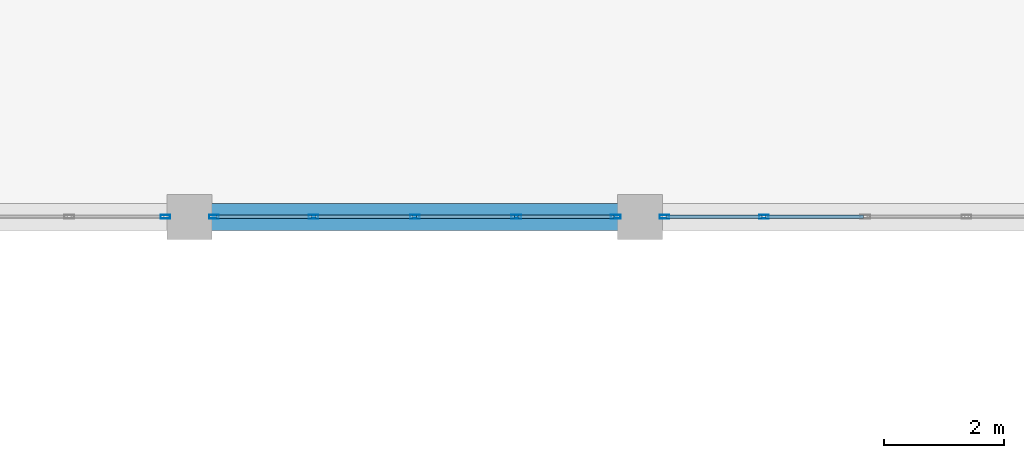
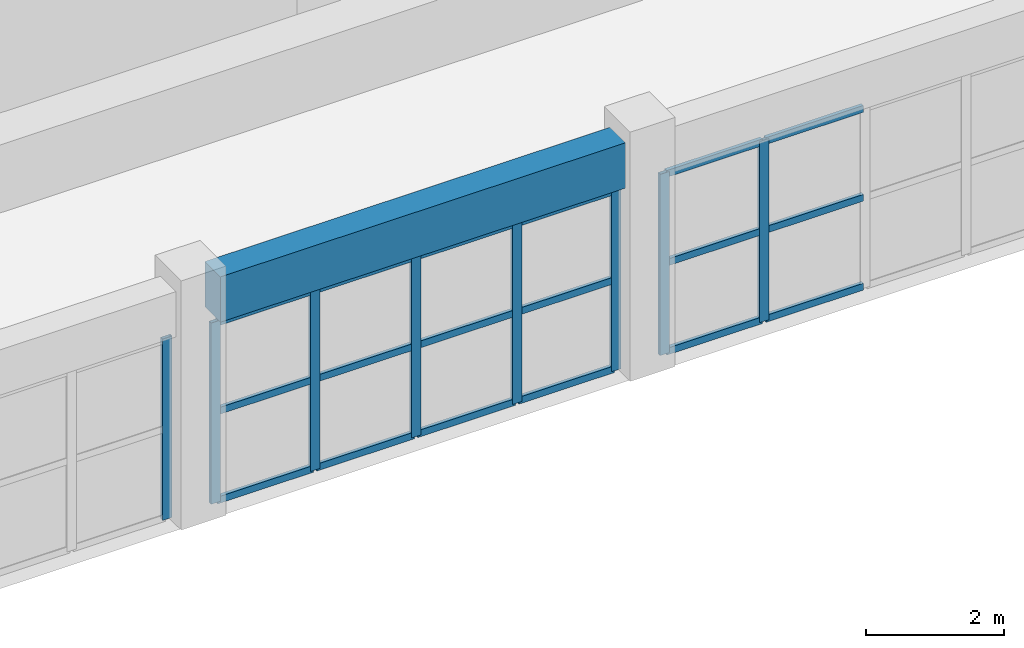
# One storey, part 37 of 116: 26 members, 1 beam, 3 elements without a shape of their own.
"""IFC4 building model written with IfcOpenShell, lengths in metres."""

from ifc_helpers import new_model, si_unit, direction, frame, origin, origin_2d, place, context, subcontext, project, spatial, rectangle, hollow_rectangle, extrude, material, layer, layer_set, material_profile, profile_set, type_object, element, aggregate, save


model = new_model("IFC4")

# Units and contexts
model_context = context("Model", 3, precision=1e-05, world=origin(), true_north=direction((0.0, 1.0)))
body_context = subcontext(model_context, "Body", "Model", "MODEL_VIEW")
ifc_project = project(units=[si_unit("LENGTHUNIT", "METRE"), si_unit("AREAUNIT", "SQUARE_METRE"), si_unit("VOLUMEUNIT", "CUBIC_METRE"), si_unit("PLANEANGLEUNIT", "RADIAN"), si_unit("MASSUNIT", "GRAM", prefix="KILO")], contexts=[model_context])

# Site, building, storey
site_placement = place(None, origin())
site = spatial("IfcSite", under=ifc_project, at=site_placement, CompositionType="ELEMENT")
building_placement = place(site_placement, origin())
building = spatial("IfcBuilding", under=site, at=building_placement, Name="Muzn Square Opera House", CompositionType="ELEMENT")
storey_placement = place(building_placement, frame((0.0, 0.0, 5.39990234375)))
storey = spatial("IfcBuildingStorey", under=building, at=storey_placement, Name="L01", CompositionType="ELEMENT", Elevation=5.39990234375)

# Curtain wall, member
ifc_material_1 = material(Name="Low-E laminated acoustic double glazing", Category="glass")
ifc_layer_1 = layer(ifc_material_1, 0.159912109375, Name="Low-E laminated acoustic double glazing", Category="glass")
ifc_layer_set_1 = layer_set([ifc_layer_1], Name="Low-E laminated acoustic double glazing")
curtain_wall_type_1 = type_object("IfcCurtainWallType", Name="Glazed Curtain Wall Forecourt 6525x3200", PredefinedType="USERDEFINED", material=ifc_layer_set_1)
curtain_wall_1_placement = place(storey_placement, origin())
curtain_wall_1 = element("IfcCurtainWall", 1, at=curtain_wall_1_placement, inside=storey, type_object=curtain_wall_type_1, Name="Glazed Curtain Wall CW-L01-005", ObjectType="GLAZED CURTAIN WALL", PredefinedType="USERDEFINED")
ifc_material_2 = material(Name="Anodised bronze aluminium 6063-T6", Category="metal")
ifc_material_profile_1 = material_profile(ifc_material_2, hollow_rectangle(XDim=0.06005859375, YDim=0.159912109375, WallThickness=0.00390625, at=origin_2d()), Name="ALU 160x60x4", Category="metal")
ifc_profile_set_1 = profile_set([ifc_material_profile_1], Name="Anodised bronze aluminium 6063-T6")
member_type_1 = type_object("IfcMemberType", Name="Curtain Wall Mullion 160x60", PredefinedType="MULLION", material=ifc_profile_set_1)
member_1_placement = place(storey_placement, frame((80.094970703125, 22.0, 0.0), z_axis=(0.0, 0.0, 1.0), x_axis=(0.0, 1.0, 0.0)))
member_1 = element("IfcMember", 2, at=member_1_placement, type_object=member_type_1, Name="CW-FC-65x32 mullion 5", PredefinedType="MULLION", context=body_context, shape_type="SweptSolid", body=[
    extrude(hollow_rectangle(XDim=0.06005859375, YDim=0.159912109375, WallThickness=0.00390625, at=origin_2d()), origin(), (0.0, 0.0, 1.0), 3.2001953125),
])
aggregate(curtain_wall_1, [member_1])

# Curtain wall, members
ifc_layer_2 = layer(ifc_material_1, 0.159912109375, Name="Low-E laminated acoustic double glazing", Category="glass")
ifc_layer_set_2 = layer_set([ifc_layer_2], Name="Low-E laminated acoustic double glazing")
curtain_wall_type_2 = type_object("IfcCurtainWallType", Name="Glazed Curtain Wall Forecourt 6750x3200", PredefinedType="USERDEFINED", material=ifc_layer_set_2)
curtain_wall_2_placement = place(storey_placement, origin())
curtain_wall_2 = element("IfcCurtainWall", 3, at=curtain_wall_2_placement, inside=storey, type_object=curtain_wall_type_2, Name="Glazed Curtain Wall CW-L01-006", ObjectType="GLAZED CURTAIN WALL", PredefinedType="USERDEFINED")
member_2_placement = place(storey_placement, frame((80.905029296875, 22.0, 0.0), z_axis=(0.0, 0.0, 1.0), x_axis=(0.0, 1.0, 0.0)))
member_2 = element("IfcMember", 4, at=member_2_placement, type_object=member_type_1, Name="CW-FC-67x32 mullion 1", PredefinedType="MULLION", context=body_context, shape_type="SweptSolid", body=[
    extrude(hollow_rectangle(XDim=0.06005859375, YDim=0.159912109375, WallThickness=0.00390625, at=origin_2d()), origin(), (0.0, 0.0, 1.0), 3.2001953125),
])
member_3_placement = place(storey_placement, frame((82.5625, 22.0, 0.0), z_axis=(0.0, 0.0, 1.0), x_axis=(0.0, 1.0, 0.0)))
member_3 = element("IfcMember", 5, at=member_3_placement, type_object=member_type_1, Name="CW-FC-67x32 mullion 2", PredefinedType="MULLION", context=body_context, shape_type="SweptSolid", body=[
    extrude(hollow_rectangle(XDim=0.06005859375, YDim=0.159912109375, WallThickness=0.00390625, at=origin_2d()), origin(), (0.0, 0.0, 1.0), 3.2001953125),
])
member_4_placement = place(storey_placement, frame((84.25, 22.0, 0.0), z_axis=(0.0, 0.0, 1.0), x_axis=(0.0, 1.0, 0.0)))
member_4 = element("IfcMember", 6, at=member_4_placement, type_object=member_type_1, Name="CW-FC-67x32 mullion 3", PredefinedType="MULLION", context=body_context, shape_type="SweptSolid", body=[
    extrude(hollow_rectangle(XDim=0.06005859375, YDim=0.159912109375, WallThickness=0.00390625, at=origin_2d()), origin(), (0.0, 0.0, 1.0), 3.2001953125),
])
member_5_placement = place(storey_placement, frame((85.9375, 22.0, 0.0), z_axis=(0.0, 0.0, 1.0), x_axis=(0.0, 1.0, 0.0)))
member_5 = element("IfcMember", 7, at=member_5_placement, type_object=member_type_1, Name="CW-FC-67x32 mullion 4", PredefinedType="MULLION", context=body_context, shape_type="SweptSolid", body=[
    extrude(hollow_rectangle(XDim=0.06005859375, YDim=0.159912109375, WallThickness=0.00390625, at=origin_2d()), origin(), (0.0, 0.0, 1.0), 3.2001953125),
])
member_6_placement = place(storey_placement, frame((87.594970703125, 22.0, 0.0), z_axis=(0.0, 0.0, 1.0), x_axis=(0.0, 1.0, 0.0)))
member_6 = element("IfcMember", 8, at=member_6_placement, type_object=member_type_1, Name="CW-FC-67x32 mullion 5", PredefinedType="MULLION", context=body_context, shape_type="SweptSolid", body=[
    extrude(hollow_rectangle(XDim=0.06005859375, YDim=0.159912109375, WallThickness=0.00390625, at=origin_2d()), origin(), (0.0, 0.0, 1.0), 3.2001953125),
])

curtain_wall_3_placement = place(storey_placement, origin())
curtain_wall_3 = element("IfcCurtainWall", 9, at=curtain_wall_3_placement, inside=storey, type_object=curtain_wall_type_2, Name="Glazed Curtain Wall CW-L01-007", ObjectType="GLAZED CURTAIN WALL", PredefinedType="USERDEFINED")
member_7_placement = place(storey_placement, frame((88.405029296875, 22.0, 0.0), z_axis=(0.0, 0.0, 1.0), x_axis=(0.0, 1.0, 0.0)))
member_7 = element("IfcMember", 10, at=member_7_placement, type_object=member_type_1, Name="CW-FC-67x32 mullion 1", PredefinedType="MULLION", context=body_context, shape_type="SweptSolid", body=[
    extrude(hollow_rectangle(XDim=0.06005859375, YDim=0.159912109375, WallThickness=0.00390625, at=origin_2d()), origin(), (0.0, 0.0, 1.0), 3.2001953125),
])
member_8_placement = place(storey_placement, frame((90.0625, 22.0, 0.0), z_axis=(0.0, 0.0, 1.0), x_axis=(0.0, 1.0, 0.0)))
member_8 = element("IfcMember", 11, at=member_8_placement, type_object=member_type_1, Name="CW-FC-67x32 mullion 2", PredefinedType="MULLION", context=body_context, shape_type="SweptSolid", body=[
    extrude(hollow_rectangle(XDim=0.06005859375, YDim=0.159912109375, WallThickness=0.00390625, at=origin_2d()), origin(), (0.0, 0.0, 1.0), 3.2001953125),
])

# Member
ifc_material_profile_2 = material_profile(ifc_material_2, hollow_rectangle(XDim=0.06005859375, YDim=0.1201171875, WallThickness=0.00390625, at=origin_2d()), Name="ALU 120x60x4", Category="metal")
ifc_profile_set_2 = profile_set([ifc_material_profile_2], Name="Anodised bronze aluminium 6063-T6")
member_type_2 = type_object("IfcMemberType", Name="Curtain Wall Transom 120x60", PredefinedType="USERDEFINED", material=ifc_profile_set_2)
member_9_placement = place(storey_placement, frame((80.93505859375, 22.0, 0.030029296875), z_axis=(1.0, 0.0, 0.0), x_axis=(0.0, 1.0, 0.0)))
member_9 = element("IfcMember", 12, at=member_9_placement, type_object=member_type_2, Name="CW-FC-67x32 transom 1.1", ObjectType="TRANSOM", PredefinedType="USERDEFINED", context=body_context, shape_type="SweptSolid", body=[
    extrude(hollow_rectangle(XDim=0.06005859375, YDim=0.1201171875, WallThickness=0.00390625, at=origin_2d()), origin(), (0.0, 0.0, 1.0), 1.597412109375),
])

member_10_placement = place(storey_placement, frame((80.93505859375, 22.0, 1.60009765625), z_axis=(1.0, 0.0, 0.0), x_axis=(0.0, 1.0, 0.0)))
member_10 = element("IfcMember", 13, at=member_10_placement, type_object=member_type_2, Name="CW-FC-67x32 transom 1.2", ObjectType="TRANSOM", PredefinedType="USERDEFINED", context=body_context, shape_type="SweptSolid", body=[
    extrude(hollow_rectangle(XDim=0.06005859375, YDim=0.1201171875, WallThickness=0.00390625, at=origin_2d()), origin(), (0.0, 0.0, 1.0), 1.597412109375),
])

member_11_placement = place(storey_placement, frame((80.93505859375, 22.0, 3.170166015625), z_axis=(1.0, 0.0, 0.0), x_axis=(0.0, 1.0, 0.0)))
member_11 = element("IfcMember", 14, at=member_11_placement, type_object=member_type_2, Name="CW-FC-67x32 transom 1.3", ObjectType="TRANSOM", PredefinedType="USERDEFINED", context=body_context, shape_type="SweptSolid", body=[
    extrude(hollow_rectangle(XDim=0.06005859375, YDim=0.1201171875, WallThickness=0.00390625, at=origin_2d()), origin(), (0.0, 0.0, 1.0), 1.597412109375),
])

member_12_placement = place(storey_placement, frame((82.592529296875, 22.0, 0.030029296875), z_axis=(1.0, 0.0, 0.0), x_axis=(0.0, 1.0, 0.0)))
member_12 = element("IfcMember", 15, at=member_12_placement, type_object=member_type_2, Name="CW-FC-67x32 transom 2.1", ObjectType="TRANSOM", PredefinedType="USERDEFINED", context=body_context, shape_type="SweptSolid", body=[
    extrude(hollow_rectangle(XDim=0.06005859375, YDim=0.1201171875, WallThickness=0.00390625, at=origin_2d()), origin(), (0.0, 0.0, 1.0), 1.62744140625),
])

member_13_placement = place(storey_placement, frame((82.592529296875, 22.0, 1.60009765625), z_axis=(1.0, 0.0, 0.0), x_axis=(0.0, 1.0, 0.0)))
member_13 = element("IfcMember", 16, at=member_13_placement, type_object=member_type_2, Name="CW-FC-67x32 transom 2.2", ObjectType="TRANSOM", PredefinedType="USERDEFINED", context=body_context, shape_type="SweptSolid", body=[
    extrude(hollow_rectangle(XDim=0.06005859375, YDim=0.1201171875, WallThickness=0.00390625, at=origin_2d()), origin(), (0.0, 0.0, 1.0), 1.62744140625),
])

member_14_placement = place(storey_placement, frame((82.592529296875, 22.0, 3.170166015625), z_axis=(1.0, 0.0, 0.0), x_axis=(0.0, 1.0, 0.0)))
member_14 = element("IfcMember", 17, at=member_14_placement, type_object=member_type_2, Name="CW-FC-67x32 transom 2.3", ObjectType="TRANSOM", PredefinedType="USERDEFINED", context=body_context, shape_type="SweptSolid", body=[
    extrude(hollow_rectangle(XDim=0.06005859375, YDim=0.1201171875, WallThickness=0.00390625, at=origin_2d()), origin(), (0.0, 0.0, 1.0), 1.62744140625),
])

member_15_placement = place(storey_placement, frame((84.280029296875, 22.0, 0.030029296875), z_axis=(1.0, 0.0, 0.0), x_axis=(0.0, 1.0, 0.0)))
member_15 = element("IfcMember", 18, at=member_15_placement, type_object=member_type_2, Name="CW-FC-67x32 transom 3.1", ObjectType="TRANSOM", PredefinedType="USERDEFINED", context=body_context, shape_type="SweptSolid", body=[
    extrude(hollow_rectangle(XDim=0.06005859375, YDim=0.1201171875, WallThickness=0.00390625, at=origin_2d()), origin(), (0.0, 0.0, 1.0), 1.62744140625),
])

member_16_placement = place(storey_placement, frame((84.280029296875, 22.0, 1.60009765625), z_axis=(1.0, 0.0, 0.0), x_axis=(0.0, 1.0, 0.0)))
member_16 = element("IfcMember", 19, at=member_16_placement, type_object=member_type_2, Name="CW-FC-67x32 transom 3.2", ObjectType="TRANSOM", PredefinedType="USERDEFINED", context=body_context, shape_type="SweptSolid", body=[
    extrude(hollow_rectangle(XDim=0.06005859375, YDim=0.1201171875, WallThickness=0.00390625, at=origin_2d()), origin(), (0.0, 0.0, 1.0), 1.62744140625),
])

member_17_placement = place(storey_placement, frame((84.280029296875, 22.0, 3.170166015625), z_axis=(1.0, 0.0, 0.0), x_axis=(0.0, 1.0, 0.0)))
member_17 = element("IfcMember", 20, at=member_17_placement, type_object=member_type_2, Name="CW-FC-67x32 transom 3.3", ObjectType="TRANSOM", PredefinedType="USERDEFINED", context=body_context, shape_type="SweptSolid", body=[
    extrude(hollow_rectangle(XDim=0.06005859375, YDim=0.1201171875, WallThickness=0.00390625, at=origin_2d()), origin(), (0.0, 0.0, 1.0), 1.62744140625),
])

member_18_placement = place(storey_placement, frame((85.967529296875, 22.0, 0.030029296875), z_axis=(1.0, 0.0, 0.0), x_axis=(0.0, 1.0, 0.0)))
member_18 = element("IfcMember", 21, at=member_18_placement, type_object=member_type_2, Name="CW-FC-67x32 transom 4.1", ObjectType="TRANSOM", PredefinedType="USERDEFINED", context=body_context, shape_type="SweptSolid", body=[
    extrude(hollow_rectangle(XDim=0.06005859375, YDim=0.1201171875, WallThickness=0.00390625, at=origin_2d()), origin(), (0.0, 0.0, 1.0), 1.597412109375),
])

member_19_placement = place(storey_placement, frame((85.967529296875, 22.0, 1.60009765625), z_axis=(1.0, 0.0, 0.0), x_axis=(0.0, 1.0, 0.0)))
member_19 = element("IfcMember", 22, at=member_19_placement, type_object=member_type_2, Name="CW-FC-67x32 transom 4.2", ObjectType="TRANSOM", PredefinedType="USERDEFINED", context=body_context, shape_type="SweptSolid", body=[
    extrude(hollow_rectangle(XDim=0.06005859375, YDim=0.1201171875, WallThickness=0.00390625, at=origin_2d()), origin(), (0.0, 0.0, 1.0), 1.597412109375),
])

member_20_placement = place(storey_placement, frame((85.967529296875, 22.0, 3.170166015625), z_axis=(1.0, 0.0, 0.0), x_axis=(0.0, 1.0, 0.0)))
member_20 = element("IfcMember", 23, at=member_20_placement, type_object=member_type_2, Name="CW-FC-67x32 transom 4.3", ObjectType="TRANSOM", PredefinedType="USERDEFINED", context=body_context, shape_type="SweptSolid", body=[
    extrude(hollow_rectangle(XDim=0.06005859375, YDim=0.1201171875, WallThickness=0.00390625, at=origin_2d()), origin(), (0.0, 0.0, 1.0), 1.597412109375),
])

aggregate(curtain_wall_2, [member_2, member_3, member_4, member_5, member_6, member_9, member_10, member_11, member_12, member_13, member_14, member_15, member_16, member_17, member_18, member_19, member_20])

member_21_placement = place(storey_placement, frame((88.43505859375, 22.0, 0.030029296875), z_axis=(1.0, 0.0, 0.0), x_axis=(0.0, 1.0, 0.0)))
member_21 = element("IfcMember", 24, at=member_21_placement, type_object=member_type_2, Name="CW-FC-67x32 transom 1.1", ObjectType="TRANSOM", PredefinedType="USERDEFINED", context=body_context, shape_type="SweptSolid", body=[
    extrude(hollow_rectangle(XDim=0.06005859375, YDim=0.1201171875, WallThickness=0.00390625, at=origin_2d()), origin(), (0.0, 0.0, 1.0), 1.597412109375),
])

member_22_placement = place(storey_placement, frame((88.43505859375, 22.0, 1.60009765625), z_axis=(1.0, 0.0, 0.0), x_axis=(0.0, 1.0, 0.0)))
member_22 = element("IfcMember", 25, at=member_22_placement, type_object=member_type_2, Name="CW-FC-67x32 transom 1.2", ObjectType="TRANSOM", PredefinedType="USERDEFINED", context=body_context, shape_type="SweptSolid", body=[
    extrude(hollow_rectangle(XDim=0.06005859375, YDim=0.1201171875, WallThickness=0.00390625, at=origin_2d()), origin(), (0.0, 0.0, 1.0), 1.597412109375),
])

member_23_placement = place(storey_placement, frame((88.43505859375, 22.0, 3.170166015625), z_axis=(1.0, 0.0, 0.0), x_axis=(0.0, 1.0, 0.0)))
member_23 = element("IfcMember", 26, at=member_23_placement, type_object=member_type_2, Name="CW-FC-67x32 transom 1.3", ObjectType="TRANSOM", PredefinedType="USERDEFINED", context=body_context, shape_type="SweptSolid", body=[
    extrude(hollow_rectangle(XDim=0.06005859375, YDim=0.1201171875, WallThickness=0.00390625, at=origin_2d()), origin(), (0.0, 0.0, 1.0), 1.597412109375),
])

member_24_placement = place(storey_placement, frame((90.092529296875, 22.0, 0.030029296875), z_axis=(1.0, 0.0, 0.0), x_axis=(0.0, 1.0, 0.0)))
member_24 = element("IfcMember", 27, at=member_24_placement, type_object=member_type_2, Name="CW-FC-67x32 transom 2.1", ObjectType="TRANSOM", PredefinedType="USERDEFINED", context=body_context, shape_type="SweptSolid", body=[
    extrude(hollow_rectangle(XDim=0.06005859375, YDim=0.1201171875, WallThickness=0.00390625, at=origin_2d()), origin(), (0.0, 0.0, 1.0), 1.62744140625),
])

member_25_placement = place(storey_placement, frame((90.092529296875, 22.0, 1.60009765625), z_axis=(1.0, 0.0, 0.0), x_axis=(0.0, 1.0, 0.0)))
member_25 = element("IfcMember", 28, at=member_25_placement, type_object=member_type_2, Name="CW-FC-67x32 transom 2.2", ObjectType="TRANSOM", PredefinedType="USERDEFINED", context=body_context, shape_type="SweptSolid", body=[
    extrude(hollow_rectangle(XDim=0.06005859375, YDim=0.1201171875, WallThickness=0.00390625, at=origin_2d()), origin(), (0.0, 0.0, 1.0), 1.62744140625),
])

member_26_placement = place(storey_placement, frame((90.092529296875, 22.0, 3.170166015625), z_axis=(1.0, 0.0, 0.0), x_axis=(0.0, 1.0, 0.0)))
member_26 = element("IfcMember", 29, at=member_26_placement, type_object=member_type_2, Name="CW-FC-67x32 transom 2.3", ObjectType="TRANSOM", PredefinedType="USERDEFINED", context=body_context, shape_type="SweptSolid", body=[
    extrude(hollow_rectangle(XDim=0.06005859375, YDim=0.1201171875, WallThickness=0.00390625, at=origin_2d()), origin(), (0.0, 0.0, 1.0), 1.62744140625),
])

aggregate(curtain_wall_3, [member_7, member_8, member_21, member_22, member_23, member_24, member_25, member_26])

# Beam
ifc_material_3 = material(Name="Concrete C40/50", Category="concrete")
ifc_material_profile_3 = material_profile(ifc_material_3, rectangle(XDim=0.449951171875, YDim=0.800048828125, at=origin_2d()), Name="RCB 450x800", Category="concrete")
ifc_profile_set_3 = profile_set([ifc_material_profile_3], Name="Concrete C40/50")
beam_type = type_object("IfcBeamType", Name="Primary Girder 450x800", PredefinedType="BEAM", material=ifc_profile_set_3)
beam_placement = place(storey_placement, frame((80.866943359375, 22.0, 3.72021484375), z_axis=(1.0, 0.0, 0.0), x_axis=(0.0, 1.0, 0.0)))
element("IfcBeam", 30, at=beam_placement, inside=storey, type_object=beam_type, Name="Primary Girder BM-L01-BM-PG800-809_220_876_220-1284", PredefinedType="BEAM", context=body_context, shape_type="SweptSolid", body=[
    extrude(rectangle(XDim=0.449951171875, YDim=0.800048828125, at=origin_2d()), origin(), (0.0, 0.0, 1.0), 6.76611328125),
])

save(model, "model.ifc")
